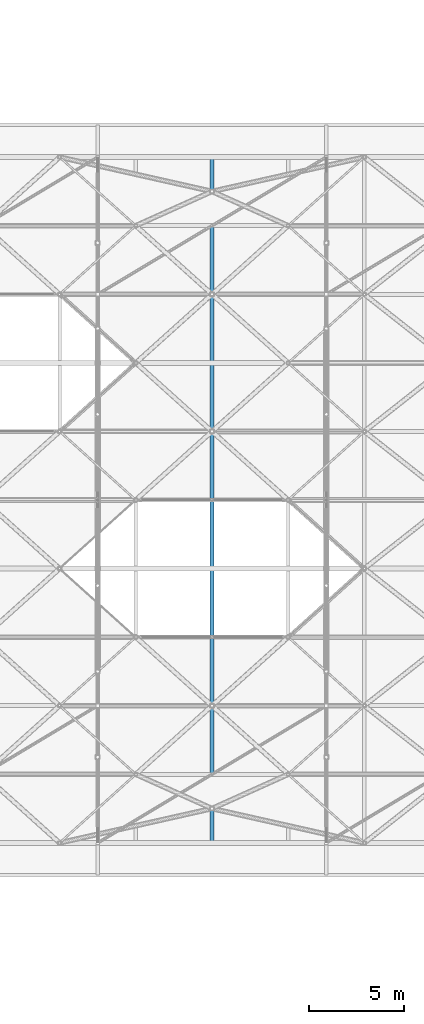
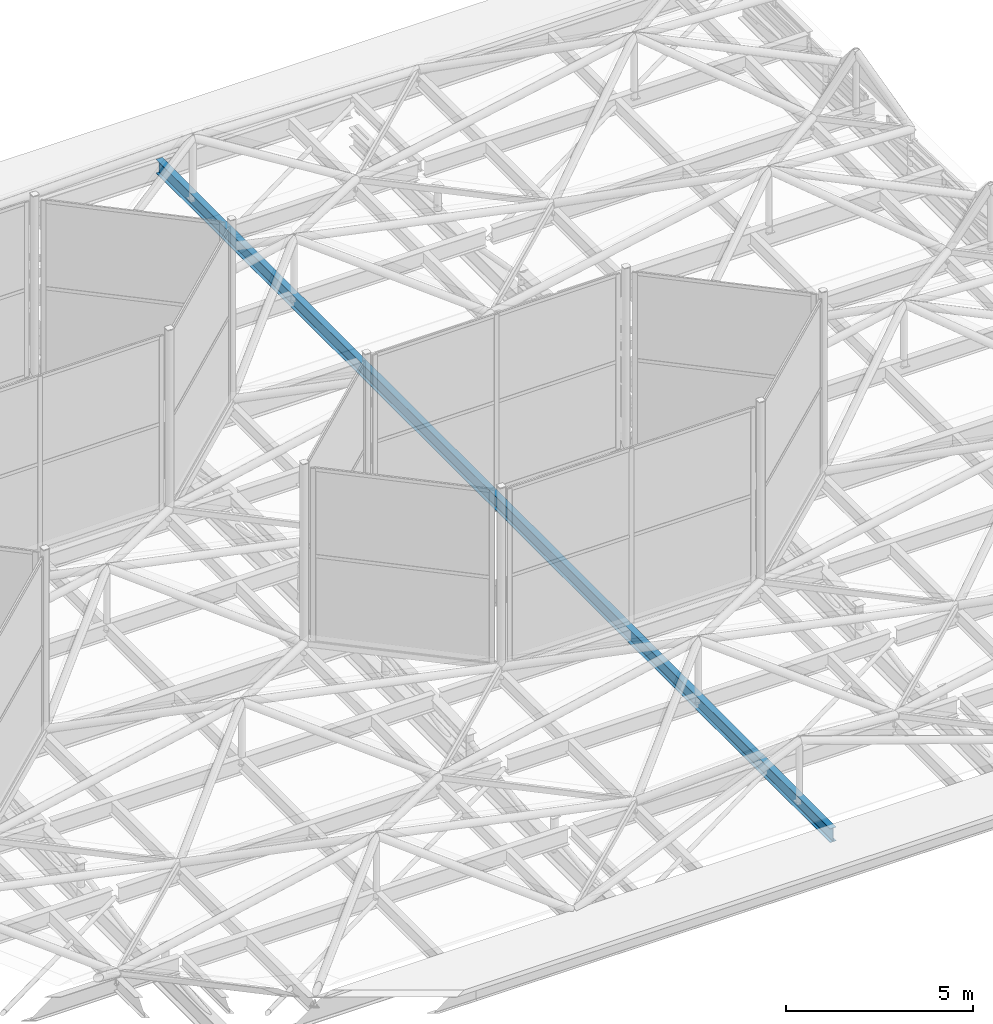
# One storey, part 121 of 239: 1 beam.
"""IFC4 building model written with IfcOpenShell, lengths in metres."""

from ifc_helpers import new_model, si_unit, direction, frame, origin, origin_2d, place, context, subcontext, project, spatial, i_section, extrude, material, material_profile, profile_set, type_object, element, save


model = new_model("IFC4")

# Units and contexts
model_context = context("Model", 3, precision=1e-05, world=origin(), true_north=direction((0.0, 1.0)))
body_context = subcontext(model_context, "Body", "Model", "MODEL_VIEW")
ifc_project = project(units=[si_unit("LENGTHUNIT", "METRE"), si_unit("AREAUNIT", "SQUARE_METRE"), si_unit("VOLUMEUNIT", "CUBIC_METRE"), si_unit("PLANEANGLEUNIT", "RADIAN"), si_unit("MASSUNIT", "GRAM", prefix="KILO")], contexts=[model_context])

# Site, building, storey
site_placement = place(None, origin())
site = spatial("IfcSite", under=ifc_project, at=site_placement, CompositionType="ELEMENT")
building_placement = place(site_placement, origin())
building = spatial("IfcBuilding", under=site, at=building_placement, Name="Dunvalen Ferry Terminal", CompositionType="ELEMENT")
storey_placement = place(building_placement, frame((0.0, 0.0, 9.840087890625)))
storey = spatial("IfcBuildingStorey", under=building, at=storey_placement, Name="L02", CompositionType="ELEMENT", Elevation=9.840087890625)

# Beam
ifc_material = material(Name="Steel S355", Category="steel")
ifc_material_profile = material_profile(ifc_material, i_section(OverallWidth=0.1904296875, OverallDepth=0.45703125, WebThickness=0.009033203125, FlangeThickness=0.014404296875, FilletRadius=0.01025390625, at=origin_2d()), Name="Steel S355")
ifc_profile_set = profile_set([ifc_material_profile], Name="Steel S355")
beam_type = type_object("IfcBeamType", Name="STR-BM-UKB457", PredefinedType="BEAM", material=ifc_profile_set)
beam_placement = place(storey_placement, frame((78.0, 50.39990234375, 0.771484375), z_axis=(0.0, 1.0, 0.0), x_axis=(-1.0, 0.0, 0.0)))
element("IfcBeam", 1, at=beam_placement, inside=storey, type_object=beam_type, Name="Departure Hall Hex-Grid Cross Beam B6.2", PredefinedType="BEAM", context=body_context, shape_type="SweptSolid", body=[
    extrude(i_section(OverallWidth=0.1904296875, OverallDepth=0.45703125, WebThickness=0.009033203125, FlangeThickness=0.014404296875, FilletRadius=0.01025390625, at=origin_2d()), origin(), (0.0, 0.0, 1.0), 36.0),
])

save(model, "model.ifc")
